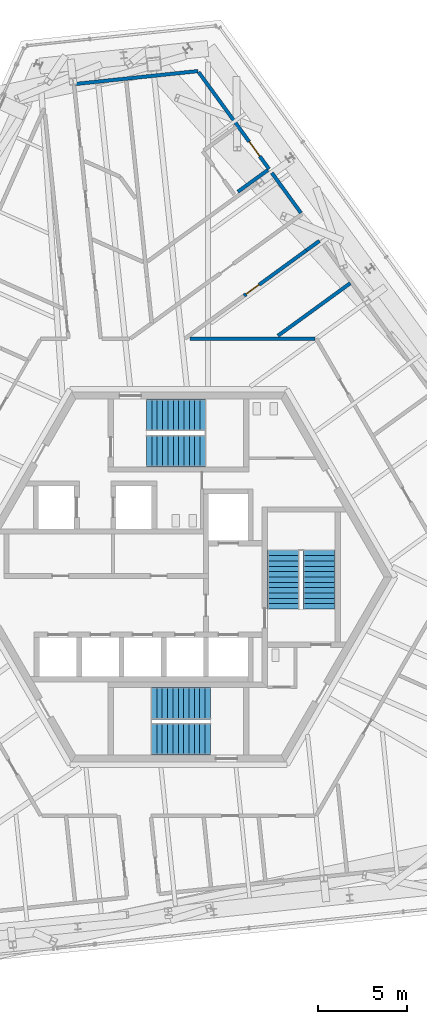
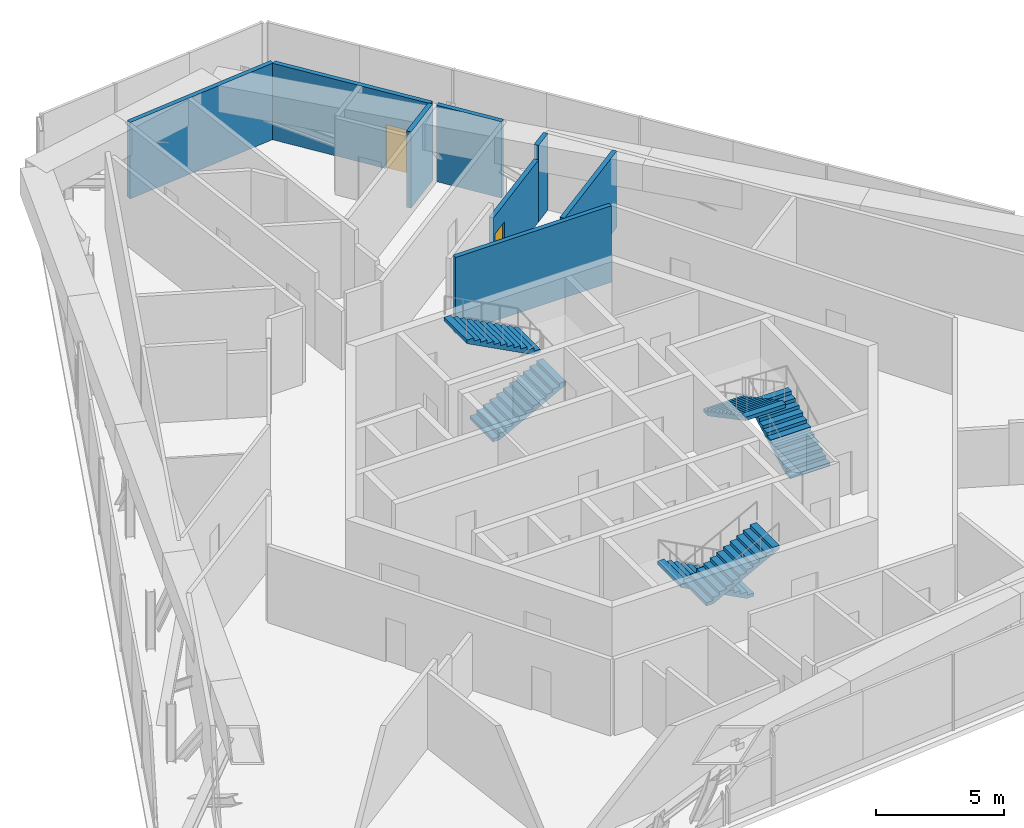
# One storey, part 16 of 23: 8 walls, 6 stair flights, 2 doors, 2 openings, 3 elements without a shape of their own.
"""IFC4 building model written with IfcOpenShell, lengths in metres."""

from ifc_helpers import new_model, si_unit, direction, frame, frame_2d, origin, place, context, subcontext, project, spatial, polyline, rectangle, outline, extrude, source, transform, mapped, material, layer, layer_set, type_object, element, fill, aggregate, save


model = new_model("IFC4")

# Units and contexts
model_context = context("Model", 3, precision=1e-05, world=origin(), true_north=direction((0.0, 1.0)))
body_context = subcontext(model_context, "Body", "Model", "MODEL_VIEW")
ifc_project = project(units=[si_unit("LENGTHUNIT", "METRE"), si_unit("AREAUNIT", "SQUARE_METRE"), si_unit("VOLUMEUNIT", "CUBIC_METRE"), si_unit("PLANEANGLEUNIT", "RADIAN"), si_unit("MASSUNIT", "GRAM", prefix="KILO")], contexts=[model_context])

# Site, building, storey
site_placement = place(None, origin())
site = spatial("IfcSite", under=ifc_project, at=site_placement, CompositionType="ELEMENT")
building_placement = place(site_placement, origin())
building = spatial("IfcBuilding", under=site, at=building_placement, Name="Triune Harvest Tower", CompositionType="ELEMENT")
storey_placement = place(building_placement, frame((0.0, 0.0, 255.699951171875)))
storey = spatial("IfcBuildingStorey", under=building, at=storey_placement, Name="L67", CompositionType="ELEMENT", Elevation=255.699951171875)

# Wall, opening, door
ifc_material_1 = material(Name="Gypsum board on steel studs", Category="steel")
ifc_layer = layer(ifc_material_1, 0.199951171875)
ifc_layer_set = layer_set([ifc_layer], Name="Gypsum board on steel studs")
wall_type = type_object("IfcWallType", Name="Fire Wall 200 mm", PredefinedType="PARTITIONING", material=ifc_layer_set)
wall_1_placement = place(storey_placement, frame((1.1337890625, 28.354248046875, 0.0), z_axis=(0.0, 0.0, 1.0), x_axis=(0.587811409221, -0.808997989608, 0.0)))
wall_1 = element("IfcWall", 1, at=wall_1_placement, inside=storey, type_object=wall_type, Name="Partition L67 020", PredefinedType="PARTITIONING", context=body_context, shape_type="SweptSolid", body=[
    extrude(rectangle(XDim=6.729736328125, YDim=0.199951171875, at=frame_2d((3.36474609375, 0.0))), origin(), (0.0, 0.0, 1.0), 3.64013671875),
])
opening_1_placement = place(wall_1_placement, frame((4.82958984375, 0.0, 0.0)))
opening_1 = element("IfcOpeningElement", 2, at=opening_1_placement, cuts=wall_1, Name="Opening L67-023", PredefinedType="OPENING", context=body_context, shape_type="SweptSolid", body=[
    extrude(rectangle(XDim=1.0, YDim=2.10009765625, at=frame_2d((0.5, 1.050048828125))), frame((0.0, 0.10986328125, 0.0), z_axis=(0.0, -1.0, 0.0), x_axis=(1.0, 0.0, 0.0)), (0.0, 0.0, 1.0), 0.219970703125),
])
ifc_material_2 = material(Name="Timber and steel door set", Category="steel")
door_type_1 = type_object("IfcDoorType", Name="Wide single leaf door FD60 left hand 1000 x 2100", OperationType="SINGLE_SWING_LEFT", PredefinedType="DOOR", material=ifc_material_2)
door_1_placement = place(opening_1_placement, origin())
door_1 = element("IfcDoor", 3, at=door_1_placement, inside=storey, type_object=door_type_1, Name="Door L67-023 Refuge Lobby 67.23", OperationType="SINGLE_SWING_LEFT", OverallHeight=2.10009765625, OverallWidth=1.0, PredefinedType="DOOR", context=body_context, shape_type="SweptSolid", body=[
    extrude(rectangle(XDim=1.0, YDim=2.10009765625, at=frame_2d((0.5, 1.050048828125))), frame((0.0, 0.02490234375, 0.0), z_axis=(0.0, -1.0, 0.0), x_axis=(1.0, 0.0, 0.0)), (0.0, 0.0, 1.0), 0.050048828125),
])
fill(opening_1, door_1)

# Walls
wall_2_placement = place(storey_placement, frame((5.242919921875, 22.69873046875, 0.0), z_axis=(0.0, 0.0, 1.0), x_axis=(0.587759487991, -0.809035712609, 0.0)))
element("IfcWall", 4, at=wall_2_placement, inside=storey, type_object=wall_type, Name="Partition L67 021", PredefinedType="PARTITIONING", context=body_context, shape_type="SweptSolid", body=[
    extrude(rectangle(XDim=2.78271484375, YDim=0.199951171875, at=frame_2d((1.391357421875, 0.0))), origin(), (0.0, 0.0, 1.0), 3.64013671875),
])
wall_3_placement = place(storey_placement, frame((0.63671875, 13.392333984375, 0.0), z_axis=(0.0, 0.0, 1.0), x_axis=(1.0, 0.0, 0.0)))
element("IfcWall", 5, at=wall_3_placement, inside=storey, type_object=wall_type, Name="Partition L67 034", PredefinedType="PARTITIONING", context=body_context, shape_type="SweptSolid", body=[
    extrude(rectangle(XDim=7.025390625, YDim=0.199951171875, at=frame_2d((3.5126953125, 0.0))), origin(), (0.0, 0.0, 1.0), 3.64013671875),
])
wall_4_placement = place(storey_placement, frame((-5.785400390625, 27.688232421875, 0.0), z_axis=(0.0, 0.0, 1.0), x_axis=(0.994521882582, 0.104528584919, 0.0)))
element("IfcWall", 6, at=wall_4_placement, inside=storey, type_object=wall_type, Name="Partition L67 039", PredefinedType="PARTITIONING", context=body_context, shape_type="SweptSolid", body=[
    extrude(rectangle(XDim=6.915771484375, YDim=0.199951171875, at=frame_2d((3.4580078125, 0.0))), origin(), (0.0, 0.0, 1.0), 3.64013671875),
])
wall_5_placement = place(storey_placement, frame((5.586181640625, 13.551025390625, 0.0), z_axis=(0.0, 0.0, 1.0), x_axis=(0.809013647954, 0.587789858218, 0.0)))
element("IfcWall", 7, at=wall_5_placement, inside=storey, type_object=wall_type, Name="Partition L67 045", PredefinedType="PARTITIONING", context=body_context, shape_type="SweptSolid", body=[
    extrude(rectangle(XDim=5.01904296875, YDim=0.199951171875, at=frame_2d((2.509521484375, 0.0))), origin(), (0.0, 0.0, 1.0), 3.64013671875),
])

# Wall, opening, door
wall_6_placement = place(storey_placement, frame((3.68359375, 15.802001953125, 0.0), z_axis=(0.0, 0.0, 1.0), x_axis=(0.808999057395, 0.587809939635, 0.0)))
wall_6 = element("IfcWall", 8, at=wall_6_placement, inside=storey, type_object=wall_type, Name="Partition L67 047a", PredefinedType="PARTITIONING", context=body_context, shape_type="SweptSolid", body=[
    extrude(rectangle(XDim=4.33447265625, YDim=0.199951171875, at=frame_2d((2.167236328125, 0.0))), origin(), (0.0, 0.0, 1.0), 2.956787109375),
])
opening_2_placement = place(wall_6_placement, frame((0.14990234375, 0.0, 0.0)))
opening_2 = element("IfcOpeningElement", 9, at=opening_2_placement, cuts=wall_6, Name="Opening L67-005", PredefinedType="OPENING", context=body_context, shape_type="SweptSolid", body=[
    extrude(rectangle(XDim=0.89990234375, YDim=2.10009765625, at=frame_2d((0.449951171875, 1.050048828125))), frame((0.0, 0.10986328125, 0.0), z_axis=(0.0, -1.0, 0.0), x_axis=(1.0, 0.0, 0.0)), (0.0, 0.0, 1.0), 0.219970703125),
])
ifc_material_3 = material(Name="Timber and steel door set", Category="steel")
door_type_2 = type_object("IfcDoorType", Name="Single leaf door FD60 right hand 900 x 2100", OperationType="SINGLE_SWING_RIGHT", PredefinedType="DOOR", material=ifc_material_3)
door_2_placement = place(opening_2_placement, origin())
door_2 = element("IfcDoor", 10, at=door_2_placement, inside=storey, type_object=door_type_2, Name="Door L67-005 Pump Room 67.05", OperationType="SINGLE_SWING_RIGHT", OverallHeight=2.10009765625, OverallWidth=0.89990234375, PredefinedType="DOOR", context=body_context, shape_type="SweptSolid", body=[
    extrude(rectangle(XDim=0.89990234375, YDim=2.10009765625, at=frame_2d((0.449951171875, 1.050048828125))), frame((0.0, 0.02490234375, 0.0), z_axis=(0.0, -1.0, 0.0), x_axis=(1.0, 0.0, 0.0)), (0.0, 0.0, 1.0), 0.050048828125),
])
fill(opening_2, door_2)

# Walls
wall_7_placement = place(storey_placement, frame((7.190185546875, 18.349853515625, 0.0), z_axis=(0.0, 0.0, 1.0), x_axis=(0.808982125137, 0.587833242688, 0.0)))
element("IfcWall", 11, at=wall_7_placement, inside=storey, type_object=wall_type, Name="Partition L67 047b", PredefinedType="PARTITIONING", context=body_context, shape_type="SweptSolid", body=[
    extrude(rectangle(XDim=0.90087890625, YDim=0.199951171875, at=frame_2d((0.450439453125, 0.0))), origin(), (0.0, 0.0, 1.0), 3.64013671875),
])
wall_8_placement = place(storey_placement, frame((3.333984375, 21.63427734375, 0.0), z_axis=(0.0, 0.0, 1.0), x_axis=(0.80901885788, 0.587782687389, 0.0)))
element("IfcWall", 12, at=wall_8_placement, inside=storey, type_object=wall_type, Name="Partition L67 051", PredefinedType="PARTITIONING", context=body_context, shape_type="SweptSolid", body=[
    extrude(rectangle(XDim=2.090087890625, YDim=0.199951171875, at=frame_2d((1.044921875, 0.0))), origin(), (0.0, 0.0, 1.0), 3.64013671875),
])

# Stair, stair flights
ifc_material_4 = material(Name="Concrete 40 MPa", Category="concrete")
stair_type = type_object("IfcStairType", Name="Exit stair 1800 half turn", PredefinedType="HALF_TURN_STAIR", material=ifc_material_4)
stair_1_placement = place(storey_placement, origin())
stair_1 = element("IfcStair", 13, at=stair_1_placement, inside=storey, type_object=stair_type, Name="Exit stair north", PredefinedType="HALF_TURN_STAIR")
ifc_material_5 = material(Name="Concrete 40 MPa", Category="concrete")
stair_flight_type = type_object("IfcStairFlightType", Name="Stair flight 1800", PredefinedType="STRAIGHT", material=ifc_material_5)
shared_shape = source(origin(), body_context, "Body", "SweptSolid", [
    extrude(outline(polyline([(0.0, 0.0), (0.0, 0.158447265625), (0.300048828125, 0.158447265625), (0.300048828125, 0.316650390625), (0.60009765625, 0.316650390625), (0.60009765625, 0.47509765625), (0.89990234375, 0.47509765625), (0.89990234375, 0.63330078125), (1.199951171875, 0.63330078125), (1.199951171875, 0.791748046875), (1.5, 0.791748046875), (1.5, 0.949951171875), (1.800048828125, 0.949951171875), (1.800048828125, 1.1083984375), (2.10009765625, 1.1083984375), (2.10009765625, 1.2666015625), (2.39990234375, 1.2666015625), (2.39990234375, 1.425048828125), (2.699951171875, 1.425048828125), (2.699951171875, 1.583251953125), (3.0, 1.583251953125), (3.0, 1.74169921875), (3.300048828125, 1.74169921875), (3.300048828125, 1.89990234375), (3.300048828125, 1.572021484375), (0.321044921875, 0.0), (0.0, 0.0)])), frame((0.0, 0.89990234375, 0.0), z_axis=(0.0, -1.0, 0.0), x_axis=(1.0, 0.0, 0.0)), (0.0, 0.0, 1.0), 1.800048828125),
])
stair_flight_1_placement = place(storey_placement, frame((-1.7900390625, 7.090087890625, 0.0), z_axis=(0.0, 0.0, 1.0), x_axis=(1.0, 0.0, 0.0)))
stair_flight_1 = element("IfcStairFlight", 14, at=stair_flight_1_placement, type_object=stair_flight_type, Name="ST-1 flight 1", NumberOfRisers=12, NumberOfTreads=11, PredefinedType="STRAIGHT", RiserHeight=0.15833, TreadLength=0.3, context=body_context, shape_type="MappedRepresentation", body=[
    mapped(shared_shape, transform((0.0, 0.0, 0.0), scale=1.0)),
])
stair_flight_2_placement = place(storey_placement, frame((1.510009765625, 9.090087890625, 1.900146484375), z_axis=(0.0, 0.0, 1.0), x_axis=(-1.0, 0.0, 0.0)))
stair_flight_2 = element("IfcStairFlight", 15, at=stair_flight_2_placement, type_object=stair_flight_type, Name="ST-1 flight 2", NumberOfRisers=12, NumberOfTreads=11, PredefinedType="STRAIGHT", RiserHeight=0.15833, TreadLength=0.3, context=body_context, shape_type="MappedRepresentation", body=[
    mapped(shared_shape, transform((0.0, 0.0, 0.0), scale=1.0)),
])
aggregate(stair_1, [stair_flight_1, stair_flight_2])

stair_2_placement = place(storey_placement, origin())
stair_2 = element("IfcStair", 16, at=stair_2_placement, inside=storey, type_object=stair_type, Name="Exit stair south", PredefinedType="HALF_TURN_STAIR")
stair_flight_3_placement = place(storey_placement, frame((1.7900390625, -7.090087890625, 0.0), z_axis=(0.0, 0.0, 1.0), x_axis=(-1.0, 0.0, 0.0)))
stair_flight_3 = element("IfcStairFlight", 17, at=stair_flight_3_placement, type_object=stair_flight_type, Name="ST-2 flight 1", NumberOfRisers=12, NumberOfTreads=11, PredefinedType="STRAIGHT", RiserHeight=0.15833, TreadLength=0.3, context=body_context, shape_type="MappedRepresentation", body=[
    mapped(shared_shape, transform((0.0, 0.0, 0.0), scale=1.0)),
])
stair_flight_4_placement = place(storey_placement, frame((-1.510009765625, -9.090087890625, 1.900146484375), z_axis=(0.0, 0.0, 1.0), x_axis=(1.0, 0.0, 0.0)))
stair_flight_4 = element("IfcStairFlight", 18, at=stair_flight_4_placement, type_object=stair_flight_type, Name="ST-2 flight 2", NumberOfRisers=12, NumberOfTreads=11, PredefinedType="STRAIGHT", RiserHeight=0.15833, TreadLength=0.3, context=body_context, shape_type="MappedRepresentation", body=[
    mapped(shared_shape, transform((0.0, 0.0, 0.0), scale=1.0)),
])
aggregate(stair_2, [stair_flight_3, stair_flight_4])

stair_3_placement = place(storey_placement, origin())
stair_3 = element("IfcStair", 19, at=stair_3_placement, inside=storey, type_object=stair_type, Name="Exit stair east", PredefinedType="HALF_TURN_STAIR")
stair_flight_5_placement = place(storey_placement, frame((7.89990234375, -1.7900390625, 0.0), z_axis=(0.0, 0.0, 1.0), x_axis=(0.0, 1.0, 0.0)))
stair_flight_5 = element("IfcStairFlight", 20, at=stair_flight_5_placement, type_object=stair_flight_type, Name="ST-3 flight 1", NumberOfRisers=12, NumberOfTreads=11, PredefinedType="STRAIGHT", RiserHeight=0.15833, TreadLength=0.3, context=body_context, shape_type="MappedRepresentation", body=[
    mapped(shared_shape, transform((0.0, 0.0, 0.0), scale=1.0)),
])
stair_flight_6_placement = place(storey_placement, frame((5.89990234375, 1.510009765625, 1.900146484375), z_axis=(0.0, 0.0, 1.0), x_axis=(0.0, -1.0, 0.0)))
stair_flight_6 = element("IfcStairFlight", 21, at=stair_flight_6_placement, type_object=stair_flight_type, Name="ST-3 flight 2", NumberOfRisers=12, NumberOfTreads=11, PredefinedType="STRAIGHT", RiserHeight=0.15833, TreadLength=0.3, context=body_context, shape_type="MappedRepresentation", body=[
    mapped(shared_shape, transform((0.0, 0.0, 0.0), scale=1.0)),
])
aggregate(stair_3, [stair_flight_5, stair_flight_6])

save(model, "model.ifc")
